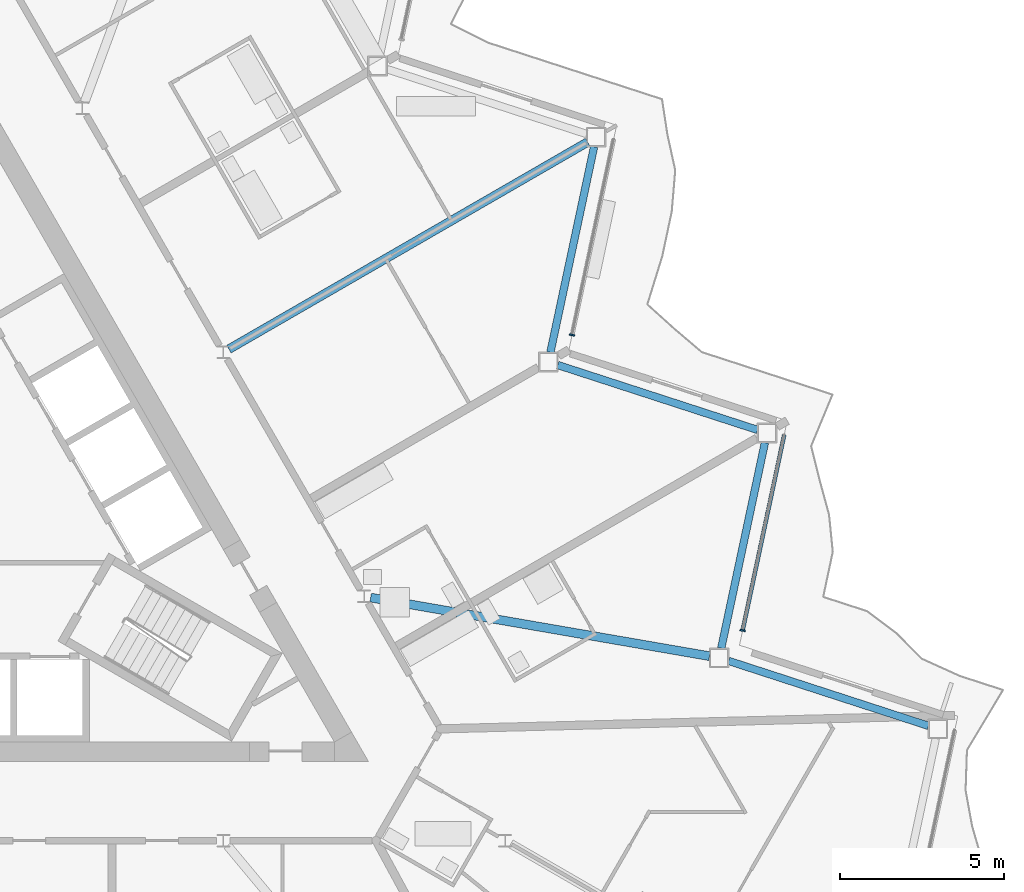
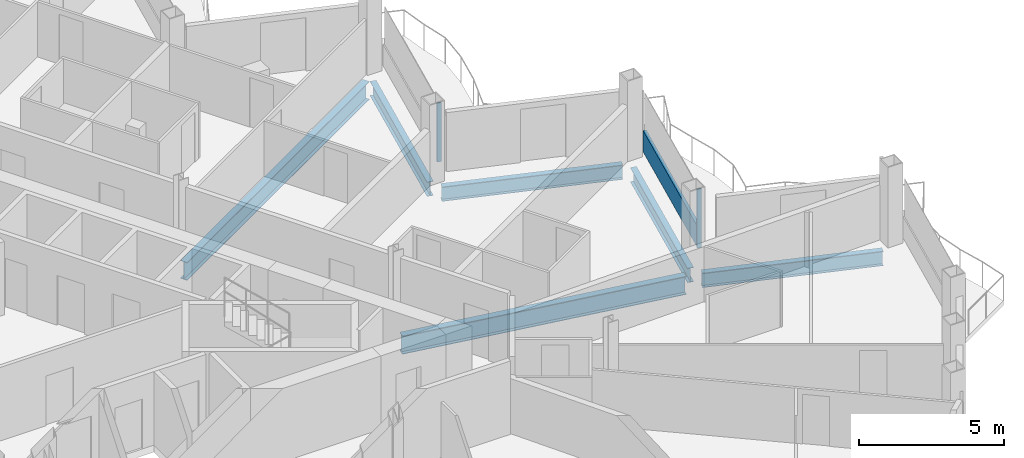
# One storey, part 9 of 28: 6 beams, 3 members, 2 elements without a shape of their own.
"""IFC4 building model written with IfcOpenShell, lengths in metres."""

import ifcopenshell
import ifcopenshell.guid

model = None  # the IFC model being written
_history = None  # IfcOwnerHistory: only IFC2X3 demands one
_inside = {}  # id of a spatial element -> (the spatial element, [elements in it])
_under = {}  # id of a project, library or spatial element -> (it, [spatial elements below it])
_declared = {}  # id of a project -> (the project, [libraries it declares])
_typed = {}  # id of a type object -> (the type object, [elements of that type])
_made_of = {}  # id of a material, layer set ... -> (it, [elements and type objects made of it])


def new_model(schema):
    """Start an empty IFC model of exactly this schema.

    Asked for "IFC4X3", IfcOpenShell would pick the latest addendum, in which some entities
    have other attributes; the version numbers below select the first issue.
    IFC2X3 requires an IfcOwnerHistory on every rooted entity: one is made here for all.
    """
    global model, _history
    if schema == "IFC4X3":
        model = ifcopenshell.file(schema_version=(4, 3, 0, 0))
    else:
        model = ifcopenshell.file(schema=schema)
    _inside.clear()
    _under.clear()
    _declared.clear()
    _typed.clear()
    _made_of.clear()
    _history = None
    if model.schema == "IFC2X3":
        org = make("IfcOrganization", Name="unknown")
        user = make(
            "IfcPersonAndOrganization",
            ThePerson=make("IfcPerson", FamilyName="unknown"),
            TheOrganization=org,
        )
        app = make(
            "IfcApplication",
            ApplicationDeveloper=org,
            Version="unknown",
            ApplicationFullName="unknown",
            ApplicationIdentifier="unknown",
        )
        _history = make(
            "IfcOwnerHistory",
            OwningUser=user,
            OwningApplication=app,
            ChangeAction="ADDED",
            CreationDate=0,
        )
    return model


def make(cls, **values):
    """One entity of the class cls with the attributes given. An attribute that is None is left unset."""
    return model.create_entity(
        cls, **{name: value for name, value in values.items() if value is not None}
    )


def rooted(cls, **values):
    """An entity with a GlobalId (a new one), such as an element, a storey or a relation."""
    return make(cls, GlobalId=ifcopenshell.guid.new(), OwnerHistory=_history, **values)


def si_unit(unit_type, name, prefix=None):
    """IfcSIUnit, for example si_unit("LENGTHUNIT", "METRE", prefix="MILLI")."""
    return make("IfcSIUnit", UnitType=unit_type, Prefix=prefix, Name=name)


def assignment(units):
    """IfcUnitAssignment: the units of a project."""
    return None if units is None else make("IfcUnitAssignment", Units=units)


def point(xyz):
    """IfcCartesianPoint."""
    return None if xyz is None else make("IfcCartesianPoint", Coordinates=xyz)


def direction(xyz):
    """IfcDirection."""
    return None if xyz is None else make("IfcDirection", DirectionRatios=xyz)


def frame(location, z_axis=None, x_axis=None):
    """IfcAxis2Placement3D, a coordinate frame: its origin and axes. An axis left out is left unset."""
    return make(
        "IfcAxis2Placement3D",
        Location=point(location),
        Axis=direction(z_axis),
        RefDirection=direction(x_axis),
    )


def frame_2d(location, x_axis=None):
    """IfcAxis2Placement2D, a coordinate frame in the plane: its origin and x axis."""
    return make(
        "IfcAxis2Placement2D", Location=point(location), RefDirection=direction(x_axis)
    )


def origin():
    """The frame at (0, 0, 0) with its axes left unset."""
    return frame((0.0, 0.0, 0.0))


def origin_2d():
    """The frame at (0, 0) in the plane with its x axis left unset."""
    return frame_2d((0.0, 0.0))


def place(relative_to, where):
    """IfcLocalPlacement: puts the frame where relative to a parent placement (None: the world)."""
    return make(
        "IfcLocalPlacement", PlacementRelTo=relative_to, RelativePlacement=where
    )


def context(
    kind, dimensions, precision=None, world=None, true_north=None, identifier=None
):
    """IfcGeometricRepresentationContext, for example the 3D "Model" context."""
    return make(
        "IfcGeometricRepresentationContext",
        ContextIdentifier=identifier,
        ContextType=kind,
        CoordinateSpaceDimension=dimensions,
        Precision=precision,
        WorldCoordinateSystem=world,
        TrueNorth=true_north,
    )


def subcontext(parent, identifier, kind, view, scale=None):
    """IfcGeometricRepresentationSubContext, for example "Body" below "Model"."""
    return make(
        "IfcGeometricRepresentationSubContext",
        ContextIdentifier=identifier,
        ContextType=kind,
        ParentContext=parent,
        TargetScale=scale,
        TargetView=view,
    )


def project(units=None, contexts=None):
    """IfcProject with its units and contexts."""
    return rooted(
        "IfcProject",
        Name="project",
        RepresentationContexts=contexts,
        UnitsInContext=assignment(units),
    )


def spatial(cls, under=None, at=None, **own):
    """A site, building, storey or space (cls), placed at a placement, below another one or the project."""
    s = rooted(cls, ObjectPlacement=at, **own)
    if under is not None:
        _under.setdefault(under.id(), (under, []))[1].append(s)
    return s


def profile(cls, at=None, kind="AREA", **sizes):
    """A parametric profile (cls). Its sizes go by their IFC names, for example OverallWidth=200.0."""
    return make(cls, ProfileType=kind, Position=at, **sizes)


def rectangle(**sizes):
    """IfcRectangleProfileDef."""
    return profile("IfcRectangleProfileDef", **sizes)


def i_section(**sizes):
    """IfcIShapeProfileDef."""
    return profile("IfcIShapeProfileDef", **sizes)


def extrude(swept, where, along, depth):
    """IfcExtrudedAreaSolid: the profile swept, set in the frame where, extruded along a direction by depth."""
    return make(
        "IfcExtrudedAreaSolid",
        SweptArea=swept,
        Position=where,
        ExtrudedDirection=direction(along),
        Depth=depth,
    )


def shape(context_of_items, identifier, shape_type, items):
    """IfcShapeRepresentation: the items that make up one representation, for example the "Body"."""
    return make(
        "IfcShapeRepresentation",
        ContextOfItems=context_of_items,
        RepresentationIdentifier=identifier,
        RepresentationType=shape_type,
        Items=items,
    )


def material(Name=None, Category=None):
    """IfcMaterial."""
    return make("IfcMaterial", Name=Name, Category=Category)


def layer(
    of_material, thickness, ventilated=None, Name=None, Category=None, Priority=None
):
    """IfcMaterialLayer: one layer of a wall or slab, of a material (None: an air gap)."""
    return make(
        "IfcMaterialLayer",
        Material=of_material,
        LayerThickness=thickness,
        IsVentilated=ventilated,
        Name=Name,
        Category=Category,
        Priority=Priority,
    )


def layer_set(layers, Name=None):
    """IfcMaterialLayerSet."""
    return make("IfcMaterialLayerSet", MaterialLayers=layers, LayerSetName=Name)


def material_profile(
    of_material, cross_section, Name=None, Category=None, Priority=None
):
    """IfcMaterialProfile: a cross section and its material."""
    return make(
        "IfcMaterialProfile",
        Name=Name,
        Material=of_material,
        Profile=cross_section,
        Priority=Priority,
        Category=Category,
    )


def profile_set(profiles, Name=None, composite=None):
    """IfcMaterialProfileSet."""
    return make(
        "IfcMaterialProfileSet",
        Name=Name,
        MaterialProfiles=profiles,
        CompositeProfile=composite,
    )


def made_of(thing, what):
    """Note that an element or type object is made of a material, layer set ...; save() writes the relation."""
    if what is not None:
        _made_of.setdefault(what.id(), (what, []))[1].append(thing)
    return thing


def type_object(cls, material=None, **own):
    """A type object (cls), such as IfcWallType, which elements share."""
    return made_of(rooted(cls, **own), material)


def element(
    cls,
    number,
    at=None,
    inside=None,
    cuts=None,
    type_object=None,
    material=None,
    context=None,
    identifier="Body",
    shape_type=None,
    held_by="IfcProductDefinitionShape",
    body=None,
    shapes=None,
    **own,
):
    """One element of the class cls, such as IfcWall. Its Tag is "e" and its number.

    at: its placement. inside: the storey or other place that contains it. cuts: it is an
    opening in that element (IfcRelVoidsElement). A single representation is given by context,
    identifier, shape_type and body (its items); several are given by shapes. held_by: the class
    of the entity that holds the representations. save() writes the other relations.
    """
    e = rooted(cls, Tag="e%d" % number, ObjectPlacement=at, **own)
    if body is not None:
        shapes = [shape(context, identifier, shape_type, body)]
    if shapes is not None:
        e.Representation = make(held_by, Representations=shapes)
    if inside is not None:
        _inside.setdefault(inside.id(), (inside, []))[1].append(e)
    if cuts is not None:
        rooted(
            "IfcRelVoidsElement", RelatingBuildingElement=cuts, RelatedOpeningElement=e
        )
    if type_object is not None:
        _typed.setdefault(type_object.id(), (type_object, []))[1].append(e)
    return made_of(e, material)


def aggregate(whole, parts):
    """IfcRelAggregates: a whole, such as a stair, and the parts it consists of."""
    return rooted("IfcRelAggregates", RelatingObject=whole, RelatedObjects=parts)


def save(model, path):
    """Write the relations noted so far, then the file.

    IfcRelAggregates (storeys below a building ...), IfcRelContainedInSpatialStructure (elements
    in a storey), IfcRelDefinesByType, IfcRelAssociatesMaterial and IfcRelDeclares: one each for
    every whole, place, type object, material and project.
    """
    for whole, parts in _under.values():
        aggregate(whole, parts)
    for where, things in _inside.values():
        rooted(
            "IfcRelContainedInSpatialStructure",
            RelatedElements=things,
            RelatingStructure=where,
        )
    for kind, things in _typed.values():
        rooted("IfcRelDefinesByType", RelatedObjects=things, RelatingType=kind)
    for what, things in _made_of.values():
        rooted("IfcRelAssociatesMaterial", RelatedObjects=things, RelatingMaterial=what)
    for by, libraries in _declared.values():
        rooted("IfcRelDeclares", RelatingContext=by, RelatedDefinitions=libraries)
    model.write(path)


model = new_model("IFC4")

# Units and contexts
model_context = context("Model", 3, precision=1e-05, world=origin(), true_north=direction((0.0, 1.0)))
body_context = subcontext(model_context, "Body", "Model", "MODEL_VIEW")
ifc_project = project(units=[si_unit("LENGTHUNIT", "METRE"), si_unit("AREAUNIT", "SQUARE_METRE"), si_unit("VOLUMEUNIT", "CUBIC_METRE"), si_unit("PLANEANGLEUNIT", "RADIAN"), si_unit("MASSUNIT", "GRAM", prefix="KILO")], contexts=[model_context])

# Site, building, storey
site_placement = place(None, origin())
site = spatial("IfcSite", under=ifc_project, at=site_placement, CompositionType="ELEMENT")
building_placement = place(site_placement, origin())
building = spatial("IfcBuilding", under=site, at=building_placement, Name="Cormorant Prow Tower", CompositionType="ELEMENT")
storey_placement = place(building_placement, frame((0.0, 0.0, 308.60009765625)))
storey = spatial("IfcBuildingStorey", under=building, at=storey_placement, Name="L67", CompositionType="ELEMENT", Elevation=308.60009765625)

# Beams
ifc_material_1 = material(Name="Structural steel ASTM A992 Gr 50", Category="steel")
ifc_material_profile_1 = material_profile(ifc_material_1, i_section(OverallWidth=0.267822265625, OverallDepth=0.77001953125, WebThickness=0.015625, FlangeThickness=0.025390625, at=origin_2d()), Name="W30x132")
ifc_profile_set_1 = profile_set([ifc_material_profile_1], Name="Structural steel ASTM A992 Gr 50")
beam_type_1 = type_object("IfcBeamType", Name="Radial floor beam W30x132", PredefinedType="BEAM", material=ifc_profile_set_1)
beam_1_placement = place(storey_placement, frame((13.0625, -2.510009765625, -0.68505859375), z_axis=(0.985379592304, -0.170373293304, 0.0), x_axis=(0.170373293304, 0.985379592304, 0.0)))
element("IfcBeam", 1, at=beam_1_placement, inside=storey, type_object=beam_type_1, Name="Radial floor beam FB3 10 L67", PredefinedType="BEAM", context=body_context, shape_type="SweptSolid", body=[
    extrude(i_section(OverallWidth=0.267822265625, OverallDepth=0.77001953125, WebThickness=0.015625, FlangeThickness=0.025390625, at=origin_2d()), origin(), (0.0, 0.0, 1.0), 10.465087890625),
])
beam_2_placement = place(storey_placement, frame((8.749755859375, 5.051513671875, -0.68505859375), z_axis=(0.866021086443, 0.50000747778, 0.0), x_axis=(-0.50000747778, 0.866021086443, 0.0)))
element("IfcBeam", 2, at=beam_2_placement, inside=storey, type_object=beam_type_1, Name="Radial floor beam FB3 11 L67", PredefinedType="BEAM", context=body_context, shape_type="SweptSolid", body=[
    extrude(i_section(OverallWidth=0.267822265625, OverallDepth=0.77001953125, WebThickness=0.015625, FlangeThickness=0.025390625, at=origin_2d()), origin(), (0.0, 0.0, 1.0), 12.604736328125),
])

# Curtain wall, member
ifc_material_2 = material(Name="Aluminium 6063-T6", Category="aluminium")
ifc_layer = layer(ifc_material_2, 0.159912109375)
ifc_layer_set = layer_set([ifc_layer], Name="Aluminium 6063-T6")
curtain_wall_type = type_object("IfcCurtainWallType", Name="Residential unitised curtain wall 160", PredefinedType="NOTDEFINED", material=ifc_layer_set)
curtain_wall_1_placement = place(storey_placement, origin())
curtain_wall_1 = element("IfcCurtainWall", 3, at=curtain_wall_1_placement, inside=storey, type_object=curtain_wall_type, Name="Residential curtain wall ENE02", PredefinedType="NOTDEFINED")
ifc_material_3 = material(Name="Aluminium 6063-T6", Category="aluminium")
ifc_material_profile_2 = material_profile(ifc_material_3, rectangle(XDim=0.159912109375, YDim=0.050048828125, at=origin_2d()), Name="Residential mullion 50x160")
ifc_profile_set_2 = profile_set([ifc_material_profile_2], Name="Aluminium 6063-T6")
member_type_1 = type_object("IfcMemberType", Name="Residential mullion 50x160", PredefinedType="MULLION", material=ifc_profile_set_2)
member_1_placement = place(storey_placement, frame((24.384033203125, -3.510009765625, 0.0), z_axis=(0.0, 0.0, 1.0), x_axis=(-0.978147600523, 0.207911691808, 0.0)))
member_1 = element("IfcMember", 4, at=member_1_placement, type_object=member_type_1, Name="Residential mullion ENE02", PredefinedType="MULLION", context=body_context, shape_type="SweptSolid", body=[
    extrude(rectangle(XDim=0.159912109375, YDim=0.050048828125, at=origin_2d()), origin(), (0.0, 0.0, 1.0), 2.48779296875),
])

curtain_wall_2_placement = place(storey_placement, origin())
curtain_wall_2 = element("IfcCurtainWall", 5, at=curtain_wall_2_placement, inside=storey, type_object=curtain_wall_type, Name="Residential curtain wall ENE04", PredefinedType="NOTDEFINED")
member_2_placement = place(storey_placement, frame((19.19287109375, 5.48095703125, 0.0), z_axis=(0.0, 0.0, 1.0), x_axis=(-0.978147600523, 0.207911691808, 0.0)))
member_2 = element("IfcMember", 6, at=member_2_placement, type_object=member_type_1, Name="Residential mullion ENE04", PredefinedType="MULLION", context=body_context, shape_type="SweptSolid", body=[
    extrude(rectangle(XDim=0.159912109375, YDim=0.050048828125, at=origin_2d()), origin(), (0.0, 0.0, 1.0), 2.48779296875),
])
aggregate(curtain_wall_2, [member_2])

# Member
ifc_material_4 = material(Name="Terracotta", Category="masonry")
ifc_material_profile_3 = material_profile(ifc_material_4, rectangle(XDim=0.1201171875, YDim=0.89990234375, at=origin_2d()), Name="Residential terracotta spandrel rail 120x900")
ifc_profile_set_3 = profile_set([ifc_material_profile_3], Name="Terracotta")
member_type_2 = type_object("IfcMemberType", Name="Residential terracotta spandrel rail 120x900", PredefinedType="USERDEFINED", material=ifc_profile_set_3)
member_3_placement = place(storey_placement, frame((24.38916015625, -3.485595703125, 0.449951171875), z_axis=(0.207918432162, 0.978146167793, 0.0), x_axis=(-0.978146167793, 0.207918432162, 0.0)))
member_3 = element("IfcMember", 7, at=member_3_placement, type_object=member_type_2, Name="Residential spandrel rail ENE02", ObjectType="TRANSOM", PredefinedType="USERDEFINED", context=body_context, shape_type="SweptSolid", body=[
    extrude(rectangle(XDim=0.1201171875, YDim=0.89990234375, at=origin_2d()), origin(), (0.0, 0.0, 1.0), 6.067138671875),
])

aggregate(curtain_wall_1, [member_1, member_3])

# Beams
ifc_material_5 = material(Name="Structural steel ASTM A992 Gr 50", Category="steel")
ifc_material_profile_4 = material_profile(ifc_material_5, i_section(OverallWidth=0.22900390625, OverallDepth=0.612060546875, WebThickness=0.011962890625, FlangeThickness=0.01953125, at=origin_2d()), Name="W24x84")
ifc_profile_set_4 = profile_set([ifc_material_profile_4], Name="Structural steel ASTM A992 Gr 50")
beam_type_2 = type_object("IfcBeamType", Name="Spandrel beam W24x84", PredefinedType="SPANDREL", material=ifc_profile_set_4)
beam_3_placement = place(storey_placement, frame((30.038330078125, -6.413330078125, -0.606201171875), z_axis=(-0.951064359156, 0.308992855489, 0.0), x_axis=(-0.308992855489, -0.951064359156, 0.0)))
element("IfcBeam", 8, at=beam_3_placement, inside=storey, type_object=beam_type_2, Name="Spandrel beam SB3 ENE01-ENE02 L67", PredefinedType="SPANDREL", context=body_context, shape_type="SweptSolid", body=[
    extrude(i_section(OverallWidth=0.22900390625, OverallDepth=0.612060546875, WebThickness=0.011962890625, FlangeThickness=0.01953125, at=origin_2d()), origin(), (0.0, 0.0, 1.0), 6.39599609375),
])
beam_4_placement = place(storey_placement, frame((23.732421875, -4.05078125, -0.606201171875), z_axis=(0.20791262393, 0.978147402394, 0.0), x_axis=(-0.978147402394, 0.20791262393, 0.0)))
element("IfcBeam", 9, at=beam_4_placement, inside=storey, type_object=beam_type_2, Name="Spandrel beam SB3 ENE02-ENE03 L67", PredefinedType="SPANDREL", context=body_context, shape_type="SweptSolid", body=[
    extrude(i_section(OverallWidth=0.22900390625, OverallDepth=0.612060546875, WebThickness=0.011962890625, FlangeThickness=0.01953125, at=origin_2d()), origin(), (0.0, 0.0, 1.0), 6.396240234375),
])
beam_5_placement = place(storey_placement, frame((24.83935546875, 2.591796875, -0.606201171875), z_axis=(-0.951064359156, 0.308992855489, 0.0), x_axis=(-0.308992855489, -0.951064359156, 0.0)))
element("IfcBeam", 10, at=beam_5_placement, inside=storey, type_object=beam_type_2, Name="Spandrel beam SB3 ENE03-ENE04 L67", PredefinedType="SPANDREL", context=body_context, shape_type="SweptSolid", body=[
    extrude(i_section(OverallWidth=0.22900390625, OverallDepth=0.612060546875, WebThickness=0.011962890625, FlangeThickness=0.01953125, at=origin_2d()), origin(), (0.0, 0.0, 1.0), 6.39599609375),
])
beam_6_placement = place(storey_placement, frame((18.533447265625, 4.954345703125, -0.606201171875), z_axis=(0.20791262393, 0.978147402394, 0.0), x_axis=(-0.978147402394, 0.20791262393, 0.0)))
element("IfcBeam", 11, at=beam_6_placement, inside=storey, type_object=beam_type_2, Name="Spandrel beam SB3 ENE04-ENE05 L67", PredefinedType="SPANDREL", context=body_context, shape_type="SweptSolid", body=[
    extrude(i_section(OverallWidth=0.22900390625, OverallDepth=0.612060546875, WebThickness=0.011962890625, FlangeThickness=0.01953125, at=origin_2d()), origin(), (0.0, 0.0, 1.0), 6.396240234375),
])

save(model, "model.ifc")
